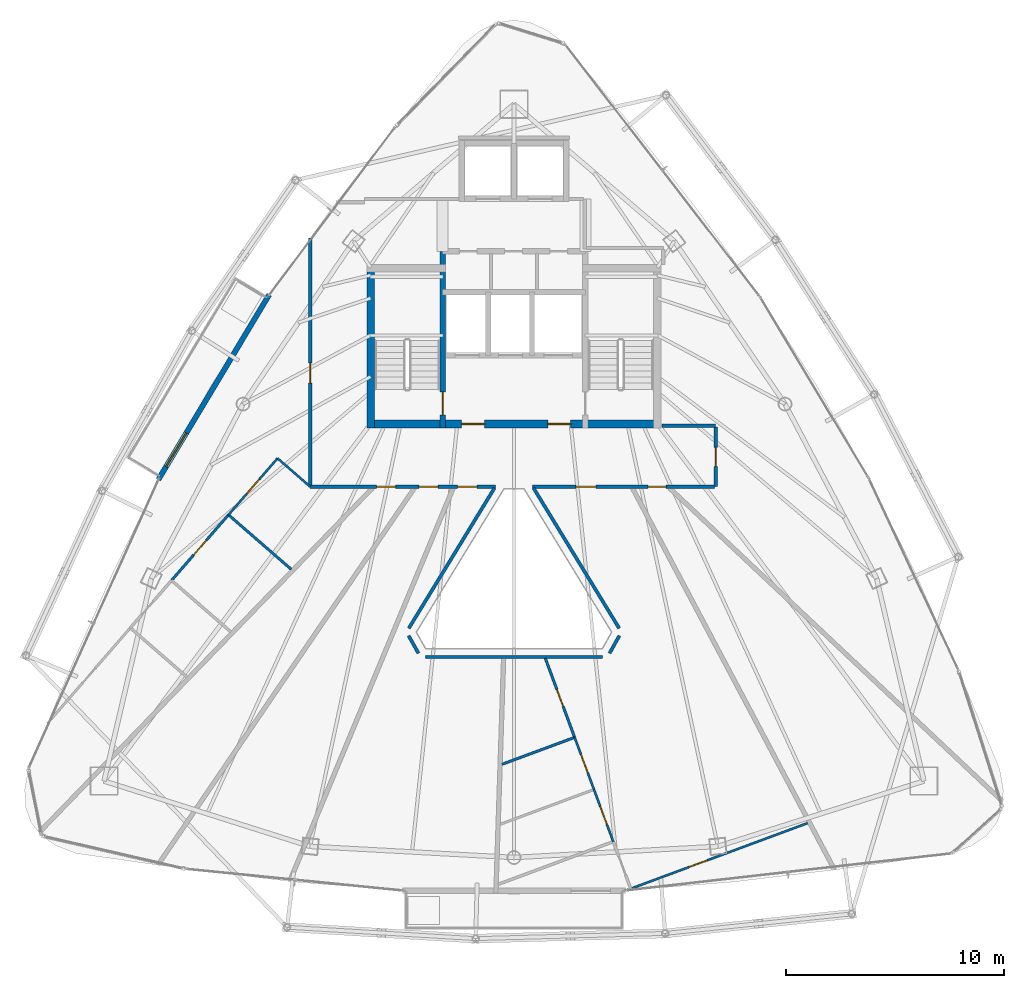
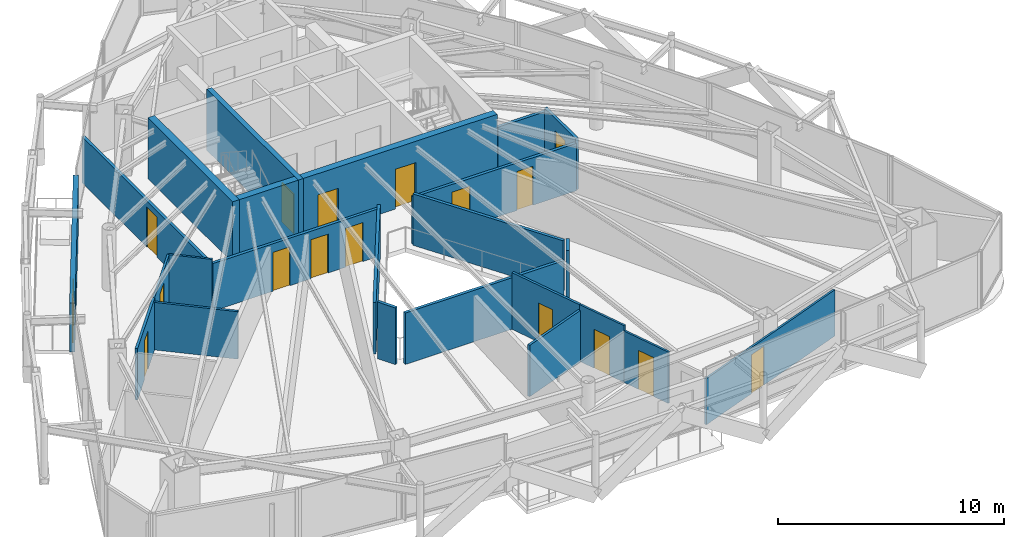
# One storey, part 27 of 30: 23 walls, 17 doors, 17 openings.
"""IFC4 building model written with IfcOpenShell, lengths in metres."""

from ifc_helpers import new_model, si_unit, direction, frame, frame_2d, origin, place, context, subcontext, project, spatial, rectangle, extrude, material, layer, layer_set, type_object, element, fill, save


model = new_model("IFC4")

# Units and contexts
model_context = context("Model", 3, precision=1e-05, world=origin(), true_north=direction((0.0, 1.0)))
body_context = subcontext(model_context, "Body", "Model", "MODEL_VIEW")
ifc_project = project(units=[si_unit("LENGTHUNIT", "METRE"), si_unit("AREAUNIT", "SQUARE_METRE"), si_unit("VOLUMEUNIT", "CUBIC_METRE"), si_unit("PLANEANGLEUNIT", "RADIAN"), si_unit("MASSUNIT", "GRAM", prefix="KILO")], contexts=[model_context])

# Site, building, storey
site_placement = place(None, origin())
site = spatial("IfcSite", under=ifc_project, at=site_placement, CompositionType="ELEMENT")
building_placement = place(site_placement, origin())
building = spatial("IfcBuilding", under=site, at=building_placement, Name="Orvanel Arch Residences", CompositionType="ELEMENT")
storey_placement = place(building_placement, frame((0.0, 0.0, 240.35009765625)))
storey = spatial("IfcBuildingStorey", under=building, at=storey_placement, Name="L68", CompositionType="ELEMENT", Elevation=240.35009765625)

# Wall, opening, door
ifc_material_1 = material(Name="Precast concrete N50 (50 MPa)", Category="concrete")
ifc_layer_1 = layer(ifc_material_1, 0.239990234375)
ifc_layer_set_1 = layer_set([ifc_layer_1], Name="Precast concrete N50 (50 MPa)")
wall_type_1 = type_object("IfcWallType", Name="EW-BAL-240", PredefinedType="SOLIDWALL", material=ifc_layer_set_1)
wall_1_placement = place(storey_placement, frame((21.77490234375, 32.659912109375, 0.0), z_axis=(0.0, 0.0, 1.0), x_axis=(-0.514372387577, -0.857566934354, 0.0)))
wall_1 = element("IfcWall", 1, at=wall_1_placement, inside=storey, type_object=wall_type_1, Name="L68 Balcony Threshold Wall Face 1", PredefinedType="SOLIDWALL", context=body_context, shape_type="SweptSolid", body=[
    extrude(rectangle(XDim=9.895263671875, YDim=0.239990234375, at=frame_2d((4.94775390625, 0.0))), origin(), (0.0, 0.0, 1.0), 2.6240234375),
])
opening_1_placement = place(wall_1_placement, frame((7.39794921875, 0.0, 0.0)))
opening_1 = element("IfcOpeningElement", 2, at=opening_1_placement, cuts=wall_1, Name="Opening DB-180", PredefinedType="OPENING", context=body_context, shape_type="SweptSolid", body=[
    extrude(rectangle(XDim=1.800048828125, YDim=2.199951171875, at=frame_2d((0.89990234375, 1.10009765625))), frame((0.0, 0.1298828125, 0.0), z_axis=(0.0, -1.0, 0.0), x_axis=(1.0, 0.0, 0.0)), (0.0, 0.0, 1.0), 0.260009765625),
])
ifc_material_2 = material(Name="Bronze-anodised aluminium AA6063-T6", Category="aluminium")
door_type_1 = type_object("IfcDoorType", Name="DR-BAL-1800", OperationType="NOTDEFINED", PredefinedType="DOOR", material=ifc_material_2)
door_1_placement = place(opening_1_placement, origin())
door_1 = element("IfcDoor", 3, at=door_1_placement, inside=storey, type_object=door_type_1, Name="DR-L68-BAL-F1 L68 Planted Balcony Access Door Face 1", OperationType="SINGLE_SWING_LEFT", OverallHeight=2.199951171875, OverallWidth=1.800048828125, PredefinedType="DOOR", context=body_context, shape_type="SweptSolid", body=[
    extrude(rectangle(XDim=1.800048828125, YDim=2.199951171875, at=frame_2d((0.89990234375, 1.10009765625))), frame((0.0, 0.02490234375, 0.0), z_axis=(0.0, -1.0, 0.0), x_axis=(1.0, 0.0, 0.0)), (0.0, 0.0, 1.0), 0.050048828125),
])
fill(opening_1, door_1)

ifc_material_3 = material(Name="Concrete N50 (50 MPa)", Category="concrete")
ifc_layer_2 = layer(ifc_material_3, 0.25)
ifc_layer_set_2 = layer_set([ifc_layer_2], Name="Concrete N50 (50 MPa)")
wall_type_2 = type_object("IfcWallType", Name="SW-CORE-250", PredefinedType="SHEAR", material=ifc_layer_set_2)
wall_2_placement = place(storey_placement, frame((29.72509765625, 26.550048828125, 0.0), z_axis=(0.0, 0.0, 1.0), x_axis=(0.0, 1.0, 0.0)))
wall_2 = element("IfcWall", 4, at=wall_2_placement, inside=storey, type_object=wall_type_2, Name="L68 West Inner Core Spine Shear Wall", PredefinedType="SHEAR", context=body_context, shape_type="SweptSolid", body=[
    extrude(rectangle(XDim=8.099853515625, YDim=0.25, at=frame_2d((4.0498046875, 0.0))), origin(), (0.0, 0.0, 1.0), 3.2998046875),
])
opening_2_placement = place(wall_2_placement, frame((0.60009765625, 0.0, 0.0)))
opening_2 = element("IfcOpeningElement", 5, at=opening_2_placement, cuts=wall_2, Name="Opening DF-120", PredefinedType="OPENING", context=body_context, shape_type="SweptSolid", body=[
    extrude(rectangle(XDim=1.050048828125, YDim=2.14990234375, at=frame_2d((0.52490234375, 1.074951171875))), frame((0.0, 0.135009765625, 0.0), z_axis=(0.0, -1.0, 0.0), x_axis=(1.0, 0.0, 0.0)), (0.0, 0.0, 1.0), 0.27001953125),
])
ifc_material_4 = material(Name="Galvanised steel fire-resisting door assembly", Category="steel")
door_type_2 = type_object("IfcDoorType", Name="DR-FD120-1050", OperationType="NOTDEFINED", PredefinedType="DOOR", material=ifc_material_4)
door_2_placement = place(opening_2_placement, origin())
door_2 = element("IfcDoor", 6, at=door_2_placement, inside=storey, type_object=door_type_2, Name="DR-L68-ST1 L68 Stair 1 Fire Door", OperationType="SINGLE_SWING_LEFT", OverallHeight=2.14990234375, OverallWidth=1.050048828125, PredefinedType="DOOR", context=body_context, shape_type="SweptSolid", body=[
    extrude(rectangle(XDim=1.050048828125, YDim=2.14990234375, at=frame_2d((0.52490234375, 1.074951171875))), frame((0.0, 0.02490234375, 0.0), z_axis=(0.0, -1.0, 0.0), x_axis=(1.0, 0.0, 0.0)), (0.0, 0.0, 1.0), 0.050048828125),
])
fill(opening_2, door_2)

# Wall, openings, doors
ifc_layer_3 = layer(ifc_material_3, 0.35009765625)
ifc_layer_set_3 = layer_set([ifc_layer_3], Name="Concrete N50 (50 MPa)")
wall_type_3 = type_object("IfcWallType", Name="SW-CORE-350", PredefinedType="SHEAR", material=ifc_layer_set_3)
wall_3_placement = place(storey_placement, frame((26.25, 26.72509765625, 0.0), z_axis=(0.0, 0.0, 1.0), x_axis=(1.0, 0.0, 0.0)))
wall_3 = element("IfcWall", 7, at=wall_3_placement, inside=storey, type_object=wall_type_3, Name="L68 South Core Shear Wall", PredefinedType="SHEAR", context=body_context, shape_type="SweptSolid", body=[
    extrude(rectangle(XDim=13.5, YDim=0.35009765625, at=frame_2d((6.75, 0.0))), origin(), (0.0, 0.0, 1.0), 3.2998046875),
])
opening_3_placement = place(wall_3_placement, frame((4.35009765625, 0.0, 0.0)))
opening_3 = element("IfcOpeningElement", 8, at=opening_3_placement, cuts=wall_3, Name="Opening DF-060", PredefinedType="OPENING", context=body_context, shape_type="SweptSolid", body=[
    extrude(rectangle(XDim=1.050048828125, YDim=2.14990234375, at=frame_2d((0.52490234375, 1.074951171875))), frame((0.0, 0.18505859375, 0.0), z_axis=(0.0, -1.0, 0.0), x_axis=(1.0, 0.0, 0.0)), (0.0, 0.0, 1.0), 0.3701171875),
])
opening_4_placement = place(wall_3_placement, frame((8.300048828125, 0.0, 0.0)))
opening_4 = element("IfcOpeningElement", 9, at=opening_4_placement, cuts=wall_3, Name="Opening DF-060", PredefinedType="OPENING", context=body_context, shape_type="SweptSolid", body=[
    extrude(rectangle(XDim=1.050048828125, YDim=2.14990234375, at=frame_2d((0.52490234375, 1.074951171875))), frame((0.0, 0.18505859375, 0.0), z_axis=(0.0, -1.0, 0.0), x_axis=(1.0, 0.0, 0.0)), (0.0, 0.0, 1.0), 0.3701171875),
])
door_type_3 = type_object("IfcDoorType", Name="DR-FD60-1050", OperationType="NOTDEFINED", PredefinedType="DOOR", material=ifc_material_4)
door_3_placement = place(opening_3_placement, origin())
door_3 = element("IfcDoor", 10, at=door_3_placement, inside=storey, type_object=door_type_3, Name="DR-L68-FFL-W L68 West Smoke Lobby Door", OperationType="SINGLE_SWING_LEFT", OverallHeight=2.14990234375, OverallWidth=1.050048828125, PredefinedType="DOOR", context=body_context, shape_type="SweptSolid", body=[
    extrude(rectangle(XDim=1.050048828125, YDim=2.14990234375, at=frame_2d((0.52490234375, 1.074951171875))), frame((0.0, 0.02490234375, 0.0), z_axis=(0.0, -1.0, 0.0), x_axis=(1.0, 0.0, 0.0)), (0.0, 0.0, 1.0), 0.050048828125),
])
fill(opening_3, door_3)
door_4_placement = place(opening_4_placement, origin())
door_4 = element("IfcDoor", 11, at=door_4_placement, inside=storey, type_object=door_type_3, Name="DR-L68-FFL-E L68 East Smoke Lobby Door", OperationType="SINGLE_SWING_RIGHT", OverallHeight=2.14990234375, OverallWidth=1.050048828125, PredefinedType="DOOR", context=body_context, shape_type="SweptSolid", body=[
    extrude(rectangle(XDim=1.050048828125, YDim=2.14990234375, at=frame_2d((0.52490234375, 1.074951171875))), frame((0.0, 0.02490234375, 0.0), z_axis=(0.0, -1.0, 0.0), x_axis=(1.0, 0.0, 0.0)), (0.0, 0.0, 1.0), 0.050048828125),
])
fill(opening_4, door_4)

# Wall
wall_4_placement = place(storey_placement, frame((26.425048828125, 26.550048828125, 0.0), z_axis=(0.0, 0.0, 1.0), x_axis=(0.0, 1.0, 0.0)))
element("IfcWall", 12, at=wall_4_placement, inside=storey, type_object=wall_type_3, Name="L68 West Stair Shear Wall", PredefinedType="SHEAR", context=body_context, shape_type="SweptSolid", body=[
    extrude(rectangle(XDim=7.5, YDim=0.35009765625, at=frame_2d((3.75, 0.0))), origin(), (0.0, 0.0, 1.0), 3.2998046875),
])

# Wall, openings, doors
ifc_material_5 = material(Name="Fire-rated plasterboard lined steel stud partition", Category="steel")
ifc_layer_4 = layer(ifc_material_5, 0.14990234375)
ifc_layer_set_4 = layer_set([ifc_layer_4], Name="Fire-rated plasterboard lined steel stud partition")
wall_type_4 = type_object("IfcWallType", Name="W-COR-150", PredefinedType="PARTITIONING", material=ifc_layer_set_4)
wall_5_placement = place(storey_placement, frame((32.14111328125, 23.85009765625, 0.0), z_axis=(0.0, 0.0, 1.0), x_axis=(-1.0, 0.0, 0.0)))
wall_5 = element("IfcWall", 13, at=wall_5_placement, inside=storey, type_object=wall_type_4, Name="L68 Corridor Fire-Rated Partition", PredefinedType="PARTITIONING", context=body_context, shape_type="SweptSolid", body=[
    extrude(rectangle(XDim=8.4912109375, YDim=0.14990234375, at=frame_2d((4.24560546875, 0.0))), origin(), (0.0, 0.0, 1.0), 2.56494140625),
])
opening_5_placement = place(wall_5_placement, frame((0.847900390625, 0.0, 0.0)))
opening_5 = element("IfcOpeningElement", 14, at=opening_5_placement, cuts=wall_5, Name="Opening DI-088", PredefinedType="OPENING", context=body_context, shape_type="SweptSolid", body=[
    extrude(rectangle(XDim=0.8798828125, YDim=2.10009765625, at=frame_2d((0.43994140625, 1.050048828125))), frame((0.0, 0.0849609375, 0.0), z_axis=(0.0, -1.0, 0.0), x_axis=(1.0, 0.0, 0.0)), (0.0, 0.0, 1.0), 0.169921875),
])
opening_6_placement = place(wall_5_placement, frame((2.615966796875, 0.0, 0.0)))
opening_6 = element("IfcOpeningElement", 15, at=opening_6_placement, cuts=wall_5, Name="Opening DI-088", PredefinedType="OPENING", context=body_context, shape_type="SweptSolid", body=[
    extrude(rectangle(XDim=0.8798828125, YDim=2.10009765625, at=frame_2d((0.43994140625, 1.050048828125))), frame((0.0, 0.0849609375, 0.0), z_axis=(0.0, -1.0, 0.0), x_axis=(1.0, 0.0, 0.0)), (0.0, 0.0, 1.0), 0.169921875),
])
opening_7_placement = place(wall_5_placement, frame((4.56689453125, 0.0, 0.0)))
opening_7 = element("IfcOpeningElement", 16, at=opening_7_placement, cuts=wall_5, Name="Opening DI-088", PredefinedType="OPENING", context=body_context, shape_type="SweptSolid", body=[
    extrude(rectangle(XDim=0.8798828125, YDim=2.10009765625, at=frame_2d((0.43994140625, 1.050048828125))), frame((0.0, 0.0849609375, 0.0), z_axis=(0.0, -1.0, 0.0), x_axis=(1.0, 0.0, 0.0)), (0.0, 0.0, 1.0), 0.169921875),
])
ifc_material_6 = material(Name="Solid-core European oak veneer fire door leaf", Category="wood")
door_type_4 = type_object("IfcDoorType", Name="DR-INT-880", OperationType="NOTDEFINED", PredefinedType="DOOR", material=ifc_material_6)
door_5_placement = place(opening_5_placement, origin())
door_5 = element("IfcDoor", 17, at=door_5_placement, inside=storey, type_object=door_type_4, Name="DR-L68-SHRD-FB5 L68 Co-Working Study Office E Door", OperationType="SINGLE_SWING_LEFT", OverallHeight=2.10009765625, OverallWidth=0.8798828125, PredefinedType="DOOR", context=body_context, shape_type="SweptSolid", body=[
    extrude(rectangle(XDim=0.8798828125, YDim=2.10009765625, at=frame_2d((0.43994140625, 1.050048828125))), frame((0.0, 0.02490234375, 0.0), z_axis=(0.0, -1.0, 0.0), x_axis=(1.0, 0.0, 0.0)), (0.0, 0.0, 1.0), 0.050048828125),
])
fill(opening_5, door_5)
door_6_placement = place(opening_6_placement, origin())
door_6 = element("IfcDoor", 18, at=door_6_placement, inside=storey, type_object=door_type_4, Name="DR-L68-SHRD-FB6 L68 Co-Working Study Office F Door", OperationType="SINGLE_SWING_LEFT", OverallHeight=2.10009765625, OverallWidth=0.8798828125, PredefinedType="DOOR", context=body_context, shape_type="SweptSolid", body=[
    extrude(rectangle(XDim=0.8798828125, YDim=2.10009765625, at=frame_2d((0.43994140625, 1.050048828125))), frame((0.0, 0.02490234375, 0.0), z_axis=(0.0, -1.0, 0.0), x_axis=(1.0, 0.0, 0.0)), (0.0, 0.0, 1.0), 0.050048828125),
])
fill(opening_6, door_6)
door_7_placement = place(opening_7_placement, origin())
door_7 = element("IfcDoor", 19, at=door_7_placement, inside=storey, type_object=door_type_4, Name="DR-L68-SHRD-FB7 L68 Co-Working Study Office G Door", OperationType="SINGLE_SWING_LEFT", OverallHeight=2.10009765625, OverallWidth=0.8798828125, PredefinedType="DOOR", context=body_context, shape_type="SweptSolid", body=[
    extrude(rectangle(XDim=0.8798828125, YDim=2.10009765625, at=frame_2d((0.43994140625, 1.050048828125))), frame((0.0, 0.02490234375, 0.0), z_axis=(0.0, -1.0, 0.0), x_axis=(1.0, 0.0, 0.0)), (0.0, 0.0, 1.0), 0.050048828125),
])
fill(opening_7, door_7)

# Wall, opening, door
wall_6_placement = place(storey_placement, frame((23.64990234375, 23.909912109375, 0.0), z_axis=(0.0, 0.0, 1.0), x_axis=(0.0, 1.0, 0.0)))
wall_6 = element("IfcWall", 20, at=wall_6_placement, inside=storey, type_object=wall_type_4, Name="L68 Corridor Fire-Rated Partition", PredefinedType="PARTITIONING", context=body_context, shape_type="SweptSolid", body=[
    extrude(rectangle(XDim=11.337158203125, YDim=0.14990234375, at=frame_2d((5.66845703125, 0.0))), origin(), (0.0, 0.0, 1.0), 2.491943359375),
])
opening_8_placement = place(wall_6_placement, frame((4.694091796875, 0.0, 0.0)))
opening_8 = element("IfcOpeningElement", 21, at=opening_8_placement, cuts=wall_6, Name="Opening DA-092", PredefinedType="OPENING", context=body_context, shape_type="SweptSolid", body=[
    extrude(rectangle(XDim=0.919921875, YDim=2.14990234375, at=frame_2d((0.4599609375, 1.074951171875))), frame((0.0, 0.0849609375, 0.0), z_axis=(0.0, -1.0, 0.0), x_axis=(1.0, 0.0, 0.0)), (0.0, 0.0, 1.0), 0.169921875),
])
door_type_5 = type_object("IfcDoorType", Name="DR-APT-920", OperationType="NOTDEFINED", PredefinedType="DOOR", material=ifc_material_6)
door_8_placement = place(opening_8_placement, origin())
door_8 = element("IfcDoor", 22, at=door_8_placement, inside=storey, type_object=door_type_5, Name="DR-L68-C-ENT L68 Studio C Entrance Door", OperationType="SINGLE_SWING_RIGHT", OverallHeight=2.14990234375, OverallWidth=0.919921875, PredefinedType="DOOR", context=body_context, shape_type="SweptSolid", body=[
    extrude(rectangle(XDim=0.919921875, YDim=2.14990234375, at=frame_2d((0.4599609375, 1.074951171875))), frame((0.0, 0.02490234375, 0.0), z_axis=(0.0, -1.0, 0.0), x_axis=(1.0, 0.0, 0.0)), (0.0, 0.0, 1.0), 0.050048828125),
])
fill(opening_8, door_8)

# Wall
wall_7_placement = place(storey_placement, frame((39.7900390625, 26.64990234375, 0.0), z_axis=(0.0, 0.0, 1.0), x_axis=(1.0, 0.0, 0.0)))
element("IfcWall", 23, at=wall_7_placement, inside=storey, type_object=wall_type_4, Name="L68 Corridor Fire-Rated Partition", PredefinedType="PARTITIONING", context=body_context, shape_type="SweptSolid", body=[
    extrude(rectangle(XDim=2.4599609375, YDim=0.14990234375, at=frame_2d((1.22998046875, 0.0))), origin(), (0.0, 0.0, 1.0), 2.56494140625),
])

# Wall, opening, door
wall_8_placement = place(storey_placement, frame((42.25, 26.590087890625, 0.0), z_axis=(0.0, 0.0, 1.0), x_axis=(0.0, -1.0, 0.0)))
wall_8 = element("IfcWall", 24, at=wall_8_placement, inside=storey, type_object=wall_type_4, Name="L68 Corridor Fire-Rated Partition", PredefinedType="PARTITIONING", context=body_context, shape_type="SweptSolid", body=[
    extrude(rectangle(XDim=2.739990234375, YDim=0.14990234375, at=frame_2d((1.3701171875, 0.0))), origin(), (0.0, 0.0, 1.0), 2.77294921875),
])
opening_9_placement = place(wall_8_placement, frame((0.929931640625, 0.0, 0.0)))
opening_9 = element("IfcOpeningElement", 25, at=opening_9_placement, cuts=wall_8, Name="Opening DI-088", PredefinedType="OPENING", context=body_context, shape_type="SweptSolid", body=[
    extrude(rectangle(XDim=0.8798828125, YDim=2.10009765625, at=frame_2d((0.43994140625, 1.050048828125))), frame((0.0, 0.0849609375, 0.0), z_axis=(0.0, -1.0, 0.0), x_axis=(1.0, 0.0, 0.0)), (0.0, 0.0, 1.0), 0.169921875),
])
door_9_placement = place(opening_9_placement, origin())
door_9 = element("IfcDoor", 26, at=door_9_placement, inside=storey, type_object=door_type_4, Name="DR-L68-SHRD-FB1 L68 Co-Working Study Office A Door", OperationType="SINGLE_SWING_LEFT", OverallHeight=2.10009765625, OverallWidth=0.8798828125, PredefinedType="DOOR", context=body_context, shape_type="SweptSolid", body=[
    extrude(rectangle(XDim=0.8798828125, YDim=2.10009765625, at=frame_2d((0.43994140625, 1.050048828125))), frame((0.0, 0.02490234375, 0.0), z_axis=(0.0, -1.0, 0.0), x_axis=(1.0, 0.0, 0.0)), (0.0, 0.0, 1.0), 0.050048828125),
])
fill(opening_9, door_9)

# Wall, openings, doors
wall_9_placement = place(storey_placement, frame((42.18994140625, 23.85009765625, 0.0), z_axis=(0.0, 0.0, 1.0), x_axis=(-1.0, 0.0, 0.0)))
wall_9 = element("IfcWall", 27, at=wall_9_placement, inside=storey, type_object=wall_type_4, Name="L68 Corridor Fire-Rated Partition", PredefinedType="PARTITIONING", context=body_context, shape_type="SweptSolid", body=[
    extrude(rectangle(XDim=8.3310546875, YDim=0.14990234375, at=frame_2d((4.16552734375, 0.0))), origin(), (0.0, 0.0, 1.0), 2.56494140625),
])
opening_10_placement = place(wall_9_placement, frame((5.43505859375, 0.0, 0.0)))
opening_10 = element("IfcOpeningElement", 28, at=opening_10_placement, cuts=wall_9, Name="Opening DA-092", PredefinedType="OPENING", context=body_context, shape_type="SweptSolid", body=[
    extrude(rectangle(XDim=0.919921875, YDim=2.14990234375, at=frame_2d((0.4599609375, 1.074951171875))), frame((0.0, 0.0849609375, 0.0), z_axis=(0.0, -1.0, 0.0), x_axis=(1.0, 0.0, 0.0)), (0.0, 0.0, 1.0), 0.169921875),
])
opening_11_placement = place(wall_9_placement, frame((2.218017578125, 0.0, 0.0)))
opening_11 = element("IfcOpeningElement", 29, at=opening_11_placement, cuts=wall_9, Name="Opening DW-082", PredefinedType="OPENING", context=body_context, shape_type="SweptSolid", body=[
    extrude(rectangle(XDim=0.820068359375, YDim=2.10009765625, at=frame_2d((0.41015625, 1.050048828125))), frame((0.0, 0.0849609375, 0.0), z_axis=(0.0, -1.0, 0.0), x_axis=(1.0, 0.0, 0.0)), (0.0, 0.0, 1.0), 0.169921875),
])
door_10_placement = place(opening_10_placement, origin())
door_10 = element("IfcDoor", 30, at=door_10_placement, inside=storey, type_object=door_type_5, Name="DR-L68-B-ENT L68 Studio B Entrance Door", OperationType="SINGLE_SWING_LEFT", OverallHeight=2.14990234375, OverallWidth=0.919921875, PredefinedType="DOOR", context=body_context, shape_type="SweptSolid", body=[
    extrude(rectangle(XDim=0.919921875, YDim=2.14990234375, at=frame_2d((0.4599609375, 1.074951171875))), frame((0.0, 0.02490234375, 0.0), z_axis=(0.0, -1.0, 0.0), x_axis=(1.0, 0.0, 0.0)), (0.0, 0.0, 1.0), 0.050048828125),
])
fill(opening_10, door_10)
door_type_6 = type_object("IfcDoorType", Name="DR-WET-820", OperationType="NOTDEFINED", PredefinedType="DOOR", material=ifc_material_6)
door_11_placement = place(opening_11_placement, origin())
door_11 = element("IfcDoor", 31, at=door_11_placement, inside=storey, type_object=door_type_6, Name="DR-L68-SHRD-FB4 L68 Co-Working Study Office D Door", OperationType="SINGLE_SWING_LEFT", OverallHeight=2.10009765625, OverallWidth=0.820068359375, PredefinedType="DOOR", context=body_context, shape_type="SweptSolid", body=[
    extrude(rectangle(XDim=0.820068359375, YDim=2.10009765625, at=frame_2d((0.41015625, 1.050048828125))), frame((0.0, 0.02490234375, 0.0), z_axis=(0.0, -1.0, 0.0), x_axis=(1.0, 0.0, 0.0)), (0.0, 0.0, 1.0), 0.050048828125),
])
fill(opening_11, door_11)

# Walls
wall_10_placement = place(storey_placement, frame((33.89501953125, 23.7900390625, 0.0), z_axis=(0.0, 0.0, 1.0), x_axis=(0.521329541742, -0.85335544113, 0.0)))
element("IfcWall", 32, at=wall_10_placement, inside=storey, type_object=wall_type_4, Name="L68 Atrium Overlook Glazed Partition", PredefinedType="PARTITIONING", context=body_context, shape_type="SweptSolid", body=[
    extrude(rectangle(XDim=7.5419921875, YDim=0.14990234375, at=frame_2d((3.77099609375, 0.0))), origin(), (0.0, 0.0, 1.0), 2.77294921875),
])
wall_11_placement = place(storey_placement, frame((37.833984375, 17.01806640625, 0.0), z_axis=(0.0, 0.0, 1.0), x_axis=(-0.489334167997, -0.872096366252, 0.0)))
element("IfcWall", 33, at=wall_11_placement, inside=storey, type_object=wall_type_4, Name="L68 Atrium Overlook Glazed Partition", PredefinedType="PARTITIONING", context=body_context, shape_type="SweptSolid", body=[
    extrude(rectangle(XDim=0.925537109375, YDim=0.14990234375, at=frame_2d((0.462890625, 0.0))), origin(), (0.0, 0.0, 1.0), 3.059814453125),
])
wall_12_placement = place(storey_placement, frame((37.052001953125, 16.0390625, 0.0), z_axis=(0.0, 0.0, 1.0), x_axis=(-1.0, 0.0, 0.0)))
element("IfcWall", 34, at=wall_12_placement, inside=storey, type_object=wall_type_4, Name="L68 Atrium Overlook Glazed Partition", PredefinedType="PARTITIONING", context=body_context, shape_type="SweptSolid", body=[
    extrude(rectangle(XDim=8.10400390625, YDim=0.14990234375, at=frame_2d((4.052001953125, 0.0))), origin(), (0.0, 0.0, 1.0), 2.77294921875),
])
wall_13_placement = place(storey_placement, frame((28.618896484375, 16.2109375, 0.0), z_axis=(0.0, 0.0, 1.0), x_axis=(-0.489334167997, 0.872096366252, 0.0)))
element("IfcWall", 35, at=wall_13_placement, inside=storey, type_object=wall_type_4, Name="L68 Atrium Overlook Glazed Partition", PredefinedType="PARTITIONING", context=body_context, shape_type="SweptSolid", body=[
    extrude(rectangle(XDim=0.925537109375, YDim=0.14990234375, at=frame_2d((0.462890625, 0.0))), origin(), (0.0, 0.0, 1.0), 3.059814453125),
])
wall_14_placement = place(storey_placement, frame((28.173095703125, 17.35400390625, 0.0), z_axis=(0.0, 0.0, 1.0), x_axis=(0.521329541742, 0.85335544113, 0.0)))
element("IfcWall", 36, at=wall_14_placement, inside=storey, type_object=wall_type_4, Name="L68 Atrium Overlook Glazed Partition", PredefinedType="PARTITIONING", context=body_context, shape_type="SweptSolid", body=[
    extrude(rectangle(XDim=7.5419921875, YDim=0.14990234375, at=frame_2d((3.77099609375, 0.0))), origin(), (0.0, 0.0, 1.0), 2.77294921875),
])

# Wall, opening, door
ifc_material_7 = material(Name="Acoustic plasterboard lined twin-stud partition", Category="gypsum")
ifc_layer_5 = layer(ifc_material_7, 0.10009765625)
ifc_layer_set_5 = layer_set([ifc_layer_5], Name="Acoustic plasterboard lined twin-stud partition")
wall_type_5 = type_object("IfcWallType", Name="W-INT-100", PredefinedType="PARTITIONING", material=ifc_layer_set_5)
wall_15_placement = place(storey_placement, frame((37.553955078125, 7.571044921875, 0.0), z_axis=(0.0, 0.0, 1.0), x_axis=(-0.347479633163, 0.93768753033, 0.0)))
wall_15 = element("IfcWall", 37, at=wall_15_placement, inside=storey, type_object=wall_type_5, Name="L68 Studio B Internal Partition", PredefinedType="PARTITIONING", context=body_context, shape_type="SweptSolid", body=[
    extrude(rectangle(XDim=2.5498046875, YDim=0.10009765625, at=frame_2d((1.27490234375, 0.0))), origin(), (0.0, 0.0, 1.0), 2.77294921875),
])
opening_12_placement = place(wall_15_placement, frame((0.8349609375, 0.0, 0.0)))
opening_12 = element("IfcOpeningElement", 38, at=opening_12_placement, cuts=wall_15, Name="Opening DI-088", PredefinedType="OPENING", context=body_context, shape_type="SweptSolid", body=[
    extrude(rectangle(XDim=0.8798828125, YDim=2.10009765625, at=frame_2d((0.43994140625, 1.050048828125))), frame((0.0, 0.06005859375, 0.0), z_axis=(0.0, -1.0, 0.0), x_axis=(1.0, 0.0, 0.0)), (0.0, 0.0, 1.0), 0.1201171875),
])
door_12_placement = place(opening_12_placement, origin())
door_12 = element("IfcDoor", 39, at=door_12_placement, inside=storey, type_object=door_type_4, Name="DR-L68-B-AME1 L68 Studio B Resident Reading Library 1 Door", OperationType="SINGLE_SWING_LEFT", OverallHeight=2.10009765625, OverallWidth=0.8798828125, PredefinedType="DOOR", context=body_context, shape_type="SweptSolid", body=[
    extrude(rectangle(XDim=0.8798828125, YDim=2.10009765625, at=frame_2d((0.43994140625, 1.050048828125))), frame((0.0, 0.02490234375, 0.0), z_axis=(0.0, -1.0, 0.0), x_axis=(1.0, 0.0, 0.0)), (0.0, 0.0, 1.0), 0.050048828125),
])
fill(opening_12, door_12)

wall_16_placement = place(storey_placement, frame((46.468994140625, 8.423095703125, 0.0), z_axis=(0.0, 0.0, 1.0), x_axis=(-0.937601832004, -0.34771080602, 0.0)))
wall_16 = element("IfcWall", 40, at=wall_16_placement, inside=storey, type_object=wall_type_5, Name="L68 Studio B Internal Partition", PredefinedType="PARTITIONING", context=body_context, shape_type="SweptSolid", body=[
    extrude(rectangle(XDim=8.904541015625, YDim=0.10009765625, at=frame_2d((4.4521484375, 0.0))), origin(), (0.0, 0.0, 1.0), 2.491943359375),
])
opening_13_placement = place(wall_16_placement, frame((4.909912109375, 0.0, 0.0)))
opening_13 = element("IfcOpeningElement", 41, at=opening_13_placement, cuts=wall_16, Name="Opening DI-088", PredefinedType="OPENING", context=body_context, shape_type="SweptSolid", body=[
    extrude(rectangle(XDim=0.8798828125, YDim=2.10009765625, at=frame_2d((0.43994140625, 1.050048828125))), frame((0.0, 0.06005859375, 0.0), z_axis=(0.0, -1.0, 0.0), x_axis=(1.0, 0.0, 0.0)), (0.0, 0.0, 1.0), 0.1201171875),
])
door_13_placement = place(opening_13_placement, origin())
door_13 = element("IfcDoor", 42, at=door_13_placement, inside=storey, type_object=door_type_4, Name="DR-L68-B-AME2 L68 Studio B Resident Reading Library 2 Door", OperationType="SINGLE_SWING_LEFT", OverallHeight=2.10009765625, OverallWidth=0.8798828125, PredefinedType="DOOR", context=body_context, shape_type="SweptSolid", body=[
    extrude(rectangle(XDim=0.8798828125, YDim=2.10009765625, at=frame_2d((0.43994140625, 1.050048828125))), frame((0.0, 0.02490234375, 0.0), z_axis=(0.0, -1.0, 0.0), x_axis=(1.0, 0.0, 0.0)), (0.0, 0.0, 1.0), 0.050048828125),
])
fill(opening_13, door_13)

wall_17_placement = place(storey_placement, frame((36.66796875, 9.9619140625, 0.0), z_axis=(0.0, 0.0, 1.0), x_axis=(-0.347785106968, 0.937574274056, 0.0)))
wall_17 = element("IfcWall", 43, at=wall_17_placement, inside=storey, type_object=wall_type_5, Name="L68 Studio B Internal Partition", PredefinedType="PARTITIONING", context=body_context, shape_type="SweptSolid", body=[
    extrude(rectangle(XDim=2.55029296875, YDim=0.10009765625, at=frame_2d((1.275146484375, 0.0))), origin(), (0.0, 0.0, 1.0), 3.059814453125),
])
opening_14_placement = place(wall_17_placement, frame((0.8349609375, 0.0, 0.0)))
opening_14 = element("IfcOpeningElement", 44, at=opening_14_placement, cuts=wall_17, Name="Opening DI-088", PredefinedType="OPENING", context=body_context, shape_type="SweptSolid", body=[
    extrude(rectangle(XDim=0.8798828125, YDim=2.10009765625, at=frame_2d((0.43994140625, 1.050048828125))), frame((0.0, 0.06005859375, 0.0), z_axis=(0.0, -1.0, 0.0), x_axis=(1.0, 0.0, 0.0)), (0.0, 0.0, 1.0), 0.1201171875),
])
door_14_placement = place(opening_14_placement, origin())
door_14 = element("IfcDoor", 45, at=door_14_placement, inside=storey, type_object=door_type_4, Name="DR-L68-B-DIN3 L68 Studio B Dining Room 3 Door", OperationType="SINGLE_SWING_LEFT", OverallHeight=2.10009765625, OverallWidth=0.8798828125, PredefinedType="DOOR", context=body_context, shape_type="SweptSolid", body=[
    extrude(rectangle(XDim=0.8798828125, YDim=2.10009765625, at=frame_2d((0.43994140625, 1.050048828125))), frame((0.0, 0.02490234375, 0.0), z_axis=(0.0, -1.0, 0.0), x_axis=(1.0, 0.0, 0.0)), (0.0, 0.0, 1.0), 0.050048828125),
])
fill(opening_14, door_14)

# Wall
wall_18_placement = place(storey_placement, frame((23.64990234375, 23.85498046875, 0.0), z_axis=(0.0, 0.0, 1.0), x_axis=(-0.755054003076, 0.655662605643, 0.0)))
element("IfcWall", 46, at=wall_18_placement, inside=storey, type_object=wall_type_5, Name="L68 Studio C Internal Partition", PredefinedType="PARTITIONING", context=body_context, shape_type="SweptSolid", body=[
    extrude(rectangle(XDim=1.979736328125, YDim=0.10009765625, at=frame_2d((0.98974609375, 0.0))), origin(), (0.0, 0.0, 1.0), 2.77294921875),
])

# Wall, opening, door
wall_19_placement = place(storey_placement, frame((22.155029296875, 25.153076171875, 0.0), z_axis=(0.0, 0.0, 1.0), x_axis=(-0.655685588572, -0.755034044888, 0.0)))
wall_19 = element("IfcWall", 47, at=wall_19_placement, inside=storey, type_object=wall_type_5, Name="L68 Studio C Internal Partition", PredefinedType="PARTITIONING", context=body_context, shape_type="SweptSolid", body=[
    extrude(rectangle(XDim=3.43310546875, YDim=0.10009765625, at=frame_2d((1.716552734375, 0.0))), origin(), (0.0, 0.0, 1.0), 2.77294921875),
])
opening_15_placement = place(wall_19_placement, frame((1.27587890625, 0.0, 0.0)))
opening_15 = element("IfcOpeningElement", 48, at=opening_15_placement, cuts=wall_19, Name="Opening DI-088", PredefinedType="OPENING", context=body_context, shape_type="SweptSolid", body=[
    extrude(rectangle(XDim=0.8798828125, YDim=2.10009765625, at=frame_2d((0.43994140625, 1.050048828125))), frame((0.0, 0.06005859375, 0.0), z_axis=(0.0, -1.0, 0.0), x_axis=(1.0, 0.0, 0.0)), (0.0, 0.0, 1.0), 0.1201171875),
])
door_15_placement = place(opening_15_placement, origin())
door_15 = element("IfcDoor", 49, at=door_15_placement, inside=storey, type_object=door_type_4, Name="DR-L68-C-DIN2 L68 Studio C Dining Room 2 Door", OperationType="SINGLE_SWING_LEFT", OverallHeight=2.10009765625, OverallWidth=0.8798828125, PredefinedType="DOOR", context=body_context, shape_type="SweptSolid", body=[
    extrude(rectangle(XDim=0.8798828125, YDim=2.10009765625, at=frame_2d((0.43994140625, 1.050048828125))), frame((0.0, 0.02490234375, 0.0), z_axis=(0.0, -1.0, 0.0), x_axis=(1.0, 0.0, 0.0)), (0.0, 0.0, 1.0), 0.050048828125),
])
fill(opening_15, door_15)

ifc_layer_6 = layer(ifc_material_7, 0.1201171875)
ifc_layer_set_6 = layer_set([ifc_layer_6], Name="Acoustic plasterboard lined twin-stud partition")
wall_type_6 = type_object("IfcWallType", Name="W-WET-120", PredefinedType="PARTITIONING", material=ifc_layer_set_6)
wall_20_placement = place(storey_placement, frame((35.781005859375, 12.35302734375, 0.0), z_axis=(0.0, 0.0, 1.0), x_axis=(-0.347550810428, 0.937661151041, 0.0)))
wall_20 = element("IfcWall", 50, at=wall_20_placement, inside=storey, type_object=wall_type_6, Name="L68 Studio B Bathroom Partition", PredefinedType="PARTITIONING", context=body_context, shape_type="SweptSolid", body=[
    extrude(rectangle(XDim=3.866943359375, YDim=0.1201171875, at=frame_2d((1.93359375, 0.0))), origin(), (0.0, 0.0, 1.0), 3.059814453125),
])
opening_16_placement = place(wall_20_placement, frame((1.52392578125, 0.0, 0.0)))
opening_16 = element("IfcOpeningElement", 51, at=opening_16_placement, cuts=wall_20, Name="Opening DW-082", PredefinedType="OPENING", context=body_context, shape_type="SweptSolid", body=[
    extrude(rectangle(XDim=0.820068359375, YDim=2.10009765625, at=frame_2d((0.41015625, 1.050048828125))), frame((0.0, 0.070068359375, 0.0), z_axis=(0.0, -1.0, 0.0), x_axis=(1.0, 0.0, 0.0)), (0.0, 0.0, 1.0), 0.14013671875),
])
door_16_placement = place(opening_16_placement, origin())
door_16 = element("IfcDoor", 52, at=door_16_placement, inside=storey, type_object=door_type_6, Name="DR-L68-B-BATH L68 Studio B Bathroom Door", OperationType="SINGLE_SWING_RIGHT", OverallHeight=2.10009765625, OverallWidth=0.820068359375, PredefinedType="DOOR", context=body_context, shape_type="SweptSolid", body=[
    extrude(rectangle(XDim=0.820068359375, YDim=2.10009765625, at=frame_2d((0.41015625, 1.050048828125))), frame((0.0, 0.02490234375, 0.0), z_axis=(0.0, -1.0, 0.0), x_axis=(1.0, 0.0, 0.0)), (0.0, 0.0, 1.0), 0.050048828125),
])
fill(opening_16, door_16)

# Wall
wall_21_placement = place(storey_placement, frame((35.781005859375, 12.35302734375, 0.0), z_axis=(0.0, 0.0, 1.0), x_axis=(-0.937688263894, -0.347477653607, 0.0)))
element("IfcWall", 53, at=wall_21_placement, inside=storey, type_object=wall_type_6, Name="L68 Studio B Bathroom Partition", PredefinedType="PARTITIONING", context=body_context, shape_type="SweptSolid", body=[
    extrude(rectangle(XDim=3.554443359375, YDim=0.1201171875, at=frame_2d((1.77734375, 0.0))), origin(), (0.0, 0.0, 1.0), 2.77294921875),
])

# Wall, opening, door
wall_22_placement = place(storey_placement, frame((19.904052734375, 22.56103515625, 0.0), z_axis=(0.0, 0.0, 1.0), x_axis=(-0.655518370372, -0.755179227803, 0.0)))
wall_22 = element("IfcWall", 54, at=wall_22_placement, inside=storey, type_object=wall_type_6, Name="L68 Studio C Internal Partition", PredefinedType="PARTITIONING", context=body_context, shape_type="SweptSolid", body=[
    extrude(rectangle(XDim=3.983154296875, YDim=0.1201171875, at=frame_2d((1.99169921875, 0.0))), origin(), (0.0, 0.0, 1.0), 2.77294921875),
])
opening_17_placement = place(wall_22_placement, frame((1.552001953125, 0.0, 0.0)))
opening_17 = element("IfcOpeningElement", 55, at=opening_17_placement, cuts=wall_22, Name="Opening DI-088", PredefinedType="OPENING", context=body_context, shape_type="SweptSolid", body=[
    extrude(rectangle(XDim=0.8798828125, YDim=2.10009765625, at=frame_2d((0.43994140625, 1.050048828125))), frame((0.0, 0.070068359375, 0.0), z_axis=(0.0, -1.0, 0.0), x_axis=(1.0, 0.0, 0.0)), (0.0, 0.0, 1.0), 0.14013671875),
])
door_17_placement = place(opening_17_placement, origin())
door_17 = element("IfcDoor", 56, at=door_17_placement, inside=storey, type_object=door_type_4, Name="DR-L68-C-KIT L68 Studio C Kitchenette Door", OperationType="SINGLE_SWING_LEFT", OverallHeight=2.10009765625, OverallWidth=0.8798828125, PredefinedType="DOOR", context=body_context, shape_type="SweptSolid", body=[
    extrude(rectangle(XDim=0.8798828125, YDim=2.10009765625, at=frame_2d((0.43994140625, 1.050048828125))), frame((0.0, 0.02490234375, 0.0), z_axis=(0.0, -1.0, 0.0), x_axis=(1.0, 0.0, 0.0)), (0.0, 0.0, 1.0), 0.050048828125),
])
fill(opening_17, door_17)

# Wall
wall_23_placement = place(storey_placement, frame((19.904052734375, 22.56103515625, 0.0), z_axis=(0.0, 0.0, 1.0), x_axis=(0.755063159293, -0.655652061293, 0.0)))
element("IfcWall", 57, at=wall_23_placement, inside=storey, type_object=wall_type_6, Name="L68 Studio C Internal Partition", PredefinedType="PARTITIONING", context=body_context, shape_type="SweptSolid", body=[
    extrude(rectangle(XDim=3.8115234375, YDim=0.1201171875, at=frame_2d((1.90576171875, 0.0))), origin(), (0.0, 0.0, 1.0), 2.56494140625),
])

save(model, "model.ifc")
